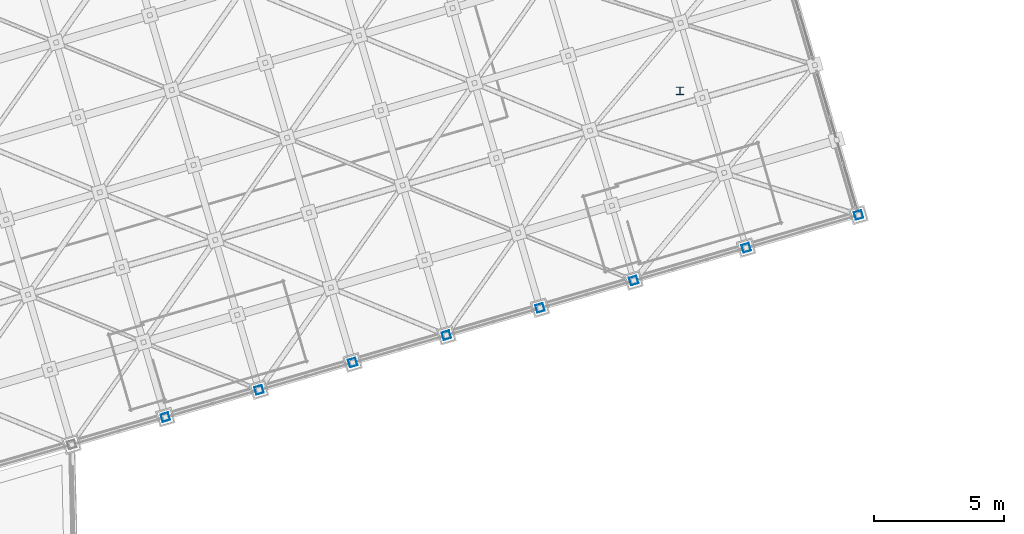
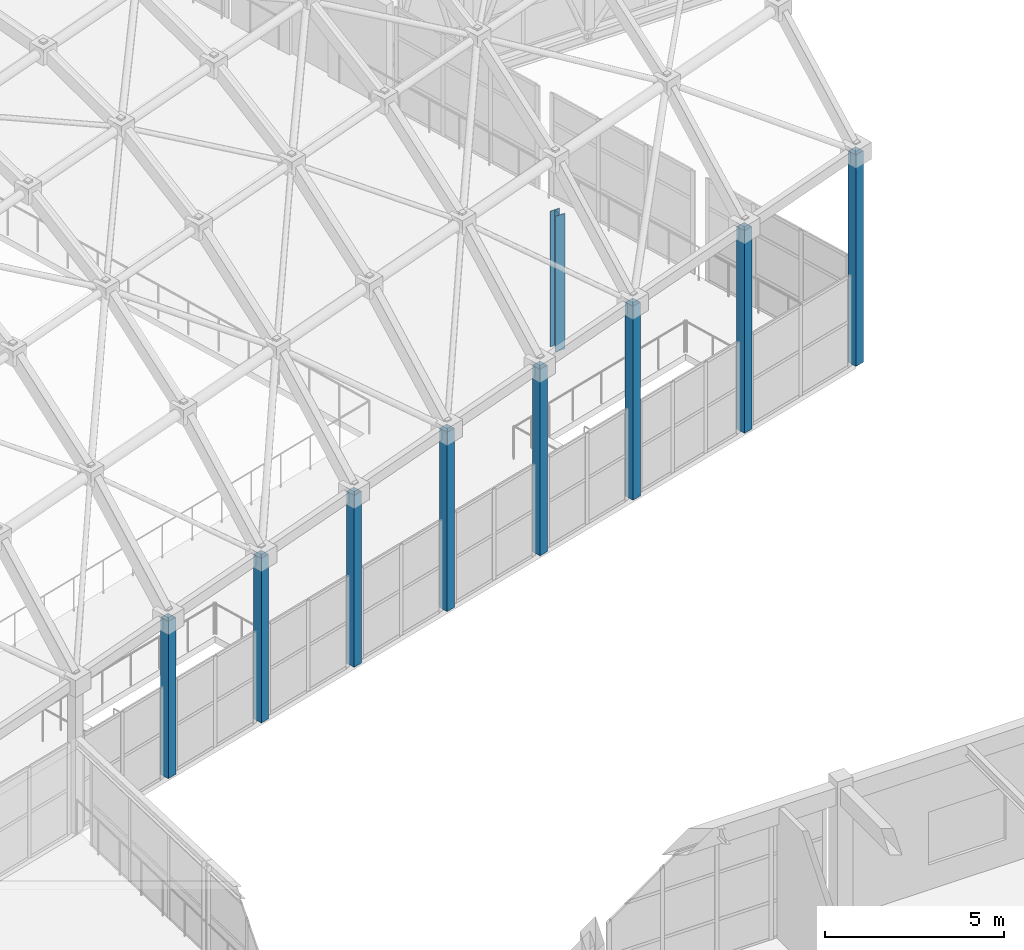
# One storey, part 5 of 248: 9 columns.
"""IFC4 building model written with IfcOpenShell, lengths in metres."""

from ifc_helpers import new_model, si_unit, direction, frame, origin, origin_2d, place, context, subcontext, project, spatial, hollow_rectangle, i_section, extrude, material, material_profile, profile_set, type_object, element, save


model = new_model("IFC4")

# Units and contexts
model_context = context("Model", 3, precision=1e-05, world=origin(), true_north=direction((0.0, 1.0)))
body_context = subcontext(model_context, "Body", "Model", "MODEL_VIEW")
ifc_project = project(units=[si_unit("LENGTHUNIT", "METRE"), si_unit("AREAUNIT", "SQUARE_METRE"), si_unit("VOLUMEUNIT", "CUBIC_METRE"), si_unit("PLANEANGLEUNIT", "RADIAN"), si_unit("MASSUNIT", "GRAM", prefix="KILO")], contexts=[model_context])

# Site, building, storey
site_placement = place(None, origin())
site = spatial("IfcSite", under=ifc_project, at=site_placement, CompositionType="ELEMENT")
building_placement = place(site_placement, origin())
building = spatial("IfcBuilding", under=site, at=building_placement, Name="Canggui Botanical Conservatory", CompositionType="ELEMENT")
storey_placement = place(building_placement, frame((0.0, 0.0, 5.39990234375)))
storey = spatial("IfcBuildingStorey", under=building, at=storey_placement, Name="L02", CompositionType="ELEMENT", Elevation=5.39990234375)

# Columns
ifc_material_1 = material(Name="Steel Q355C", Category="steel")
ifc_material_profile_1 = material_profile(ifc_material_1, hollow_rectangle(XDim=0.300048828125, YDim=0.300048828125, WallThickness=0.010009765625, at=origin_2d()), Name="SHS 300x300x10")
ifc_profile_set_1 = profile_set([ifc_material_profile_1], Name="Steel Q355C")
column_type_1 = type_object("IfcColumnType", Name="COL-GZ02", PredefinedType="COLUMN", material=ifc_profile_set_1)
column_1_placement = place(storey_placement, frame((45.199951171875, 49.35009765625, 0.0), z_axis=(0.0, 0.0, 1.0), x_axis=(0.960000000041, 0.279999999861, 0.0)))
element("IfcColumn", 1, at=column_1_placement, inside=storey, type_object=column_type_1, Name="Conservatory Upper Arch Pier L02 R8-V0", PredefinedType="COLUMN", context=body_context, shape_type="SweptSolid", body=[
    extrude(hollow_rectangle(XDim=0.300048828125, YDim=0.300048828125, WallThickness=0.010009765625, at=origin_2d()), origin(), (0.0, 0.0, 1.0), 5.35009765625),
])
column_2_placement = place(storey_placement, frame((48.800048828125, 50.39990234375, 0.0), z_axis=(0.0, 0.0, 1.0), x_axis=(0.960000000041, 0.279999999861, 0.0)))
element("IfcColumn", 2, at=column_2_placement, inside=storey, type_object=column_type_1, Name="Conservatory Upper Arch Pier L02 R9-V0", PredefinedType="COLUMN", context=body_context, shape_type="SweptSolid", body=[
    extrude(hollow_rectangle(XDim=0.300048828125, YDim=0.300048828125, WallThickness=0.010009765625, at=origin_2d()), origin(), (0.0, 0.0, 1.0), 5.60009765625),
])
column_3_placement = place(storey_placement, frame((52.39990234375, 51.449951171875, 0.0), z_axis=(0.0, 0.0, 1.0), x_axis=(0.960000000041, 0.279999999861, 0.0)))
element("IfcColumn", 3, at=column_3_placement, inside=storey, type_object=column_type_1, Name="Conservatory Upper Arch Pier L02 R10-V0", PredefinedType="COLUMN", context=body_context, shape_type="SweptSolid", body=[
    extrude(hollow_rectangle(XDim=0.300048828125, YDim=0.300048828125, WallThickness=0.010009765625, at=origin_2d()), origin(), (0.0, 0.0, 1.0), 5.85009765625),
])
column_4_placement = place(storey_placement, frame((56.0, 52.5, 0.0), z_axis=(0.0, 0.0, 1.0), x_axis=(0.960000000041, 0.279999999861, 0.0)))
element("IfcColumn", 4, at=column_4_placement, inside=storey, type_object=column_type_1, Name="Conservatory Upper Arch Pier L02 R11-V0", PredefinedType="COLUMN", context=body_context, shape_type="SweptSolid", body=[
    extrude(hollow_rectangle(XDim=0.300048828125, YDim=0.300048828125, WallThickness=0.010009765625, at=origin_2d()), origin(), (0.0, 0.0, 1.0), 6.10009765625),
])
column_5_placement = place(storey_placement, frame((59.60009765625, 53.550048828125, 0.0), z_axis=(0.0, 0.0, 1.0), x_axis=(0.960000000041, 0.279999999861, 0.0)))
element("IfcColumn", 5, at=column_5_placement, inside=storey, type_object=column_type_1, Name="Conservatory Upper Arch Pier L02 R12-V0", PredefinedType="COLUMN", context=body_context, shape_type="SweptSolid", body=[
    extrude(hollow_rectangle(XDim=0.300048828125, YDim=0.300048828125, WallThickness=0.010009765625, at=origin_2d()), origin(), (0.0, 0.0, 1.0), 6.35009765625),
])
column_6_placement = place(storey_placement, frame((63.199951171875, 54.60009765625, 0.0), z_axis=(0.0, 0.0, 1.0), x_axis=(0.960000000041, 0.279999999861, 0.0)))
element("IfcColumn", 6, at=column_6_placement, inside=storey, type_object=column_type_1, Name="Conservatory Upper Arch Pier L02 R13-V0", PredefinedType="COLUMN", context=body_context, shape_type="SweptSolid", body=[
    extrude(hollow_rectangle(XDim=0.300048828125, YDim=0.300048828125, WallThickness=0.010009765625, at=origin_2d()), origin(), (0.0, 0.0, 1.0), 6.60009765625),
])
column_7_placement = place(storey_placement, frame((67.52001953125, 55.860107421875, 0.0), z_axis=(0.0, 0.0, 1.0), x_axis=(0.960000000041, 0.279999999861, 0.0)))
element("IfcColumn", 7, at=column_7_placement, inside=storey, type_object=column_type_1, Name="Conservatory Upper Arch Pier L02 R14-V0", PredefinedType="COLUMN", context=body_context, shape_type="SweptSolid", body=[
    extrude(hollow_rectangle(XDim=0.300048828125, YDim=0.300048828125, WallThickness=0.010009765625, at=origin_2d()), origin(), (0.0, 0.0, 1.0), 6.900146484375),
])
column_8_placement = place(storey_placement, frame((71.840087890625, 57.1201171875, 0.0), z_axis=(0.0, 0.0, 1.0), x_axis=(0.960000000041, 0.279999999861, 0.0)))
element("IfcColumn", 8, at=column_8_placement, inside=storey, type_object=column_type_1, Name="Conservatory Upper Arch Pier L02 R15-V0", PredefinedType="COLUMN", context=body_context, shape_type="SweptSolid", body=[
    extrude(hollow_rectangle(XDim=0.300048828125, YDim=0.300048828125, WallThickness=0.010009765625, at=origin_2d()), origin(), (0.0, 0.0, 1.0), 7.2001953125),
])
ifc_material_2 = material(Name="Steel Q355B", Category="steel")
ifc_material_profile_2 = material_profile(ifc_material_2, i_section(OverallWidth=0.300048828125, OverallDepth=0.300048828125, WebThickness=0.010009765625, FlangeThickness=0.014892578125, FilletRadius=0.01806640625, at=origin_2d()), Name="HW 300x300x10x15")
ifc_profile_set_2 = profile_set([ifc_material_profile_2], Name="Steel Q355B")
column_type_2 = type_object("IfcColumnType", Name="COL-GZ05", PredefinedType="COLUMN", material=ifc_profile_set_2)
column_9_placement = place(storey_placement, frame((64.97998046875, 61.889892578125, 0.0), z_axis=(0.0, 0.0, 1.0), x_axis=(1.0, 0.0, 0.0)))
element("IfcColumn", 9, at=column_9_placement, inside=storey, type_object=column_type_2, Name="Skybridge Gallery Steel Column (64.98,61.89)", PredefinedType="COLUMN", context=body_context, shape_type="SweptSolid", body=[
    extrude(i_section(OverallWidth=0.300048828125, OverallDepth=0.300048828125, WebThickness=0.010009765625, FlangeThickness=0.014892578125, FilletRadius=0.01806640625, at=origin_2d()), origin(), (0.0, 0.0, 1.0), 4.6201171875),
])

save(model, "model.ifc")
